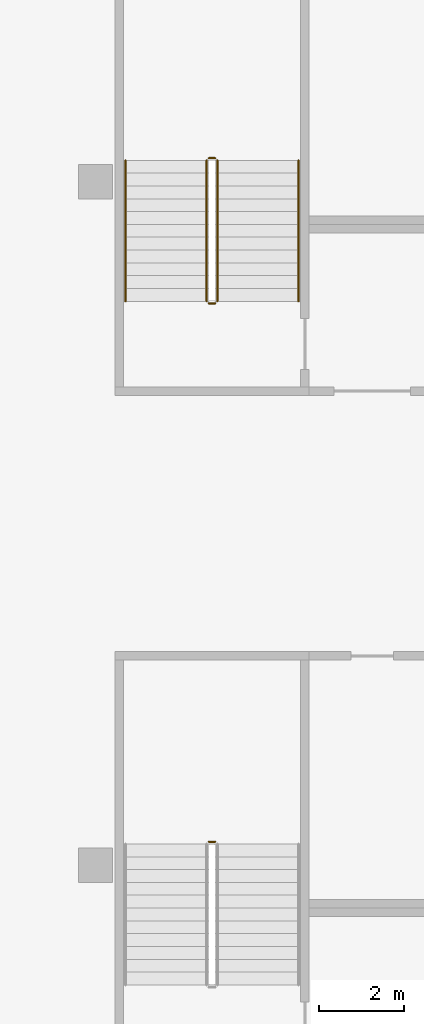
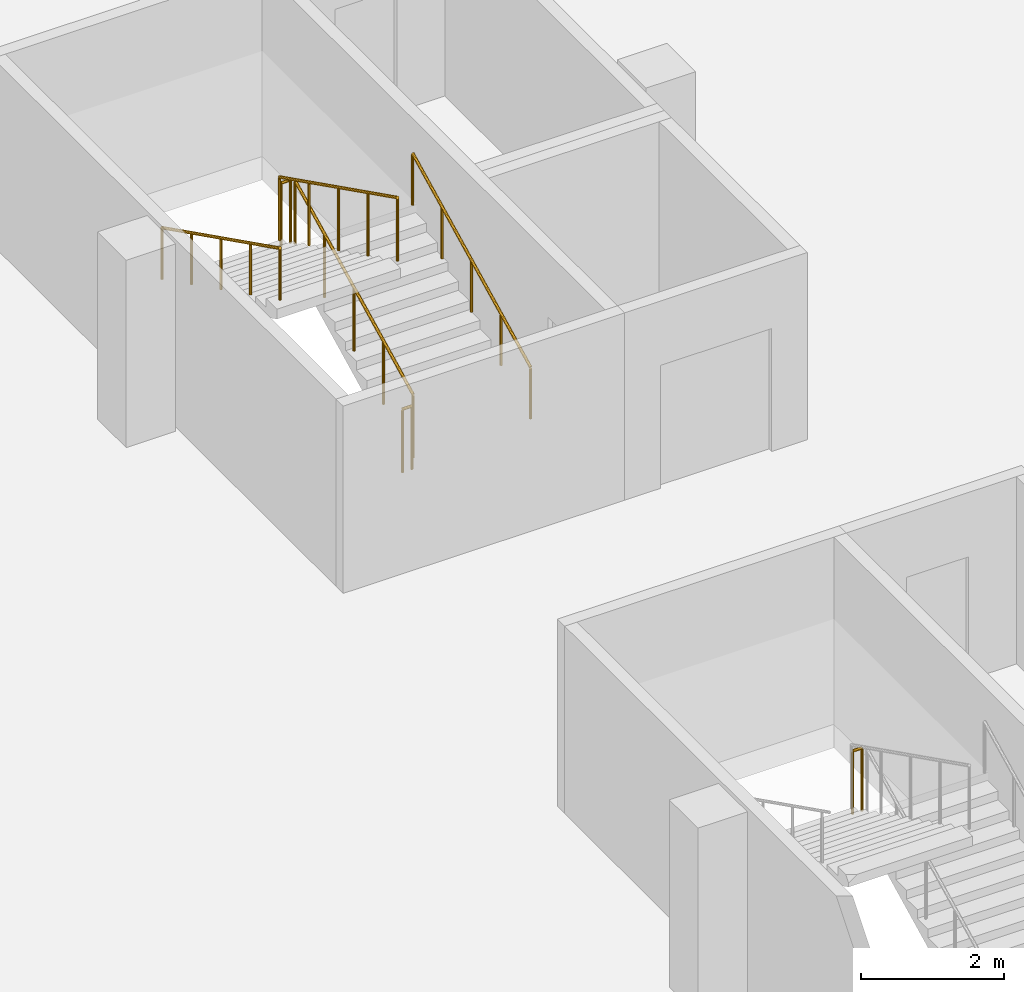
# One storey, part 25 of 37: 7 railings.
"""IFC4 building model written with IfcOpenShell, lengths in metres."""

from ifc_helpers import new_model, si_unit, direction, frame, origin, origin_2d, place, context, subcontext, project, spatial, circle, extrude, material, type_object, element, save


model = new_model("IFC4")

# Units and contexts
model_context = context("Model", 3, precision=1e-05, world=origin(), true_north=direction((0.0, 1.0)))
body_context = subcontext(model_context, "Body", "Model", "MODEL_VIEW")
ifc_project = project(units=[si_unit("LENGTHUNIT", "METRE"), si_unit("AREAUNIT", "SQUARE_METRE"), si_unit("VOLUMEUNIT", "CUBIC_METRE"), si_unit("PLANEANGLEUNIT", "RADIAN"), si_unit("MASSUNIT", "GRAM", prefix="KILO")], contexts=[model_context])

# Site, building, storey
site_placement = place(None, origin())
site = spatial("IfcSite", under=ifc_project, at=site_placement, CompositionType="ELEMENT")
building_placement = place(site_placement, origin())
building = spatial("IfcBuilding", under=site, at=building_placement, Name="Tamra Quay Hotel Tower", CompositionType="ELEMENT")
storey_placement = place(building_placement, frame((0.0, 0.0, -7.199951171875)))
storey = spatial("IfcBuildingStorey", under=building, at=storey_placement, Name="B2", CompositionType="ELEMENT", Elevation=-7.199951171875)

# Railings
ifc_material_1 = material(Name="Basement stair guard 1100")
railing_type_1 = type_object("IfcRailingType", Name="Basement stair guard 1100", PredefinedType="GUARDRAIL", material=ifc_material_1)
railing_1_placement = place(storey_placement, frame((-94.699951171875, -15.449951171875, 1.800048828125)))
element("IfcRailing", 1, at=railing_1_placement, inside=storey, type_object=railing_type_1, Name="BSG", PredefinedType="GUARDRAIL", context=body_context, shape_type="SweptSolid", body=[
    extrude(circle(Radius=0.02392578125, at=origin_2d()), frame((0.0, 0.0, 1.076171875), z_axis=(-1.0, 0.0, 0.0), x_axis=(0.0, -1.0, 0.0)), (0.0, 0.0, 1.0), 0.150146484375),
    extrude(circle(Radius=0.02099609375, at=origin_2d()), origin(), (0.0, 0.0, 1.0), 1.052001953125),
    extrude(circle(Radius=0.02099609375, at=origin_2d()), frame((-0.150146484375, 0.0, 0.0)), (0.0, 0.0, 1.0), 1.052001953125),
])
railing_2_placement = place(storey_placement, frame((-94.64990234375, -2.800048828125, 0.14990234375)))
element("IfcRailing", 2, at=railing_2_placement, inside=storey, type_object=railing_type_1, Name="BSG", PredefinedType="GUARDRAIL", context=body_context, shape_type="SweptSolid", body=[
    extrude(circle(Radius=0.02392578125, at=origin_2d()), frame((0.0, 0.0, 1.076171875), z_axis=(0.0, 0.894413956696, 0.447240063129), x_axis=(-1.0, 0.0, 0.0)), (0.0, 0.0, 1.0), 3.689697265625),
    extrude(circle(Radius=0.02099609375, at=origin_2d()), origin(), (0.0, 0.0, 1.0), 1.052001953125),
    extrude(circle(Radius=0.02099609375, at=origin_2d()), frame((0.0, 0.824951171875, 0.41259765625)), (0.0, 0.0, 1.0), 1.052001953125),
    extrude(circle(Radius=0.02099609375, at=origin_2d()), frame((0.0, 1.64990234375, 0.8251953125)), (0.0, 0.0, 1.0), 1.052001953125),
    extrude(circle(Radius=0.02099609375, at=origin_2d()), frame((0.0, 2.47509765625, 1.237548828125)), (0.0, 0.0, 1.0), 1.052001953125),
    extrude(circle(Radius=0.02099609375, at=origin_2d()), frame((0.0, 3.300048828125, 1.650146484375)), (0.0, 0.0, 1.0), 1.052001953125),
])
railing_3_placement = place(storey_placement, frame((-94.699951171875, 0.550048828125, 1.800048828125)))
element("IfcRailing", 3, at=railing_3_placement, inside=storey, type_object=railing_type_1, Name="BSG", PredefinedType="GUARDRAIL", context=body_context, shape_type="SweptSolid", body=[
    extrude(circle(Radius=0.02392578125, at=origin_2d()), frame((0.0, 0.0, 1.076171875), z_axis=(-1.0, 0.0, 0.0), x_axis=(0.0, -1.0, 0.0)), (0.0, 0.0, 1.0), 0.150146484375),
    extrude(circle(Radius=0.02099609375, at=origin_2d()), origin(), (0.0, 0.0, 1.0), 1.052001953125),
    extrude(circle(Radius=0.02099609375, at=origin_2d()), frame((-0.150146484375, 0.0, 0.0)), (0.0, 0.0, 1.0), 1.052001953125),
])
railing_4_placement = place(storey_placement, frame((-94.89990234375, 0.5, 1.949951171875)))
element("IfcRailing", 4, at=railing_4_placement, inside=storey, type_object=railing_type_1, Name="BSG", PredefinedType="GUARDRAIL", context=body_context, shape_type="SweptSolid", body=[
    extrude(circle(Radius=0.02392578125, at=origin_2d()), frame((0.0, 0.0, 1.076171875), z_axis=(0.0, -0.894440424912, 0.447187126696), x_axis=(1.0, 0.0, 0.0)), (0.0, 0.0, 1.0), 3.689453125),
    extrude(circle(Radius=0.02099609375, at=origin_2d()), origin(), (0.0, 0.0, 1.0), 1.052001953125),
    extrude(circle(Radius=0.02099609375, at=origin_2d()), frame((0.0, -0.824951171875, 0.41259765625)), (0.0, 0.0, 1.0), 1.052001953125),
    extrude(circle(Radius=0.02099609375, at=origin_2d()), frame((0.0, -1.64990234375, 0.824951171875)), (0.0, 0.0, 1.0), 1.052001953125),
    extrude(circle(Radius=0.02099609375, at=origin_2d()), frame((0.0, -2.47509765625, 1.2373046875)), (0.0, 0.0, 1.0), 1.052001953125),
    extrude(circle(Radius=0.02099609375, at=origin_2d()), frame((0.0, -3.300048828125, 1.64990234375)), (0.0, 0.0, 1.0), 1.052001953125),
])
railing_5_placement = place(storey_placement, frame((-94.699951171875, -2.85009765625, 0.0)))
element("IfcRailing", 5, at=railing_5_placement, inside=storey, type_object=railing_type_1, Name="BSG", PredefinedType="GUARDRAIL", context=body_context, shape_type="SweptSolid", body=[
    extrude(circle(Radius=0.02392578125, at=origin_2d()), frame((0.0, 0.0, 1.076171875), z_axis=(-1.0, 0.0, 0.0), x_axis=(0.0, -1.0, 0.0)), (0.0, 0.0, 1.0), 0.150146484375),
    extrude(circle(Radius=0.02099609375, at=origin_2d()), origin(), (0.0, 0.0, 1.0), 1.052001953125),
    extrude(circle(Radius=0.02099609375, at=origin_2d()), frame((-0.150146484375, 0.0, 0.0)), (0.0, 0.0, 1.0), 1.052001953125),
])
ifc_material_2 = material(Name="Basement stair handrail 900")
railing_type_2 = type_object("IfcRailingType", Name="Basement stair handrail 900", PredefinedType="HANDRAIL", material=ifc_material_2)
railing_6_placement = place(storey_placement, frame((-92.75, -2.800048828125, 0.14990234375)))
element("IfcRailing", 6, at=railing_6_placement, inside=storey, type_object=railing_type_2, Name="BSH", PredefinedType="HANDRAIL", context=body_context, shape_type="SweptSolid", body=[
    extrude(circle(Radius=0.02392578125, at=origin_2d()), frame((0.0, 0.0, 0.8759765625), z_axis=(0.0, 0.894413956696, 0.447240063129), x_axis=(-1.0, 0.0, 0.0)), (0.0, 0.0, 1.0), 3.689697265625),
    extrude(circle(Radius=0.02099609375, at=origin_2d()), origin(), (0.0, 0.0, 1.0), 0.851806640625),
    extrude(circle(Radius=0.02099609375, at=origin_2d()), frame((0.0, 0.824951171875, 0.41259765625)), (0.0, 0.0, 1.0), 0.851806640625),
    extrude(circle(Radius=0.02099609375, at=origin_2d()), frame((0.0, 1.64990234375, 0.8251953125)), (0.0, 0.0, 1.0), 0.851806640625),
    extrude(circle(Radius=0.02099609375, at=origin_2d()), frame((0.0, 2.47509765625, 1.237548828125)), (0.0, 0.0, 1.0), 0.851806640625),
    extrude(circle(Radius=0.02099609375, at=origin_2d()), frame((0.0, 3.300048828125, 1.650146484375)), (0.0, 0.0, 1.0), 0.851806640625),
])
railing_7_placement = place(storey_placement, frame((-96.800048828125, 0.5, 1.949951171875)))
element("IfcRailing", 7, at=railing_7_placement, inside=storey, type_object=railing_type_2, Name="BSH", PredefinedType="HANDRAIL", context=body_context, shape_type="SweptSolid", body=[
    extrude(circle(Radius=0.02392578125, at=origin_2d()), frame((0.0, 0.0, 0.8759765625), z_axis=(0.0, -0.894440424912, 0.447187126696), x_axis=(1.0, 0.0, 0.0)), (0.0, 0.0, 1.0), 3.689453125),
    extrude(circle(Radius=0.02099609375, at=origin_2d()), origin(), (0.0, 0.0, 1.0), 0.851806640625),
    extrude(circle(Radius=0.02099609375, at=origin_2d()), frame((0.0, -0.824951171875, 0.41259765625)), (0.0, 0.0, 1.0), 0.851806640625),
    extrude(circle(Radius=0.02099609375, at=origin_2d()), frame((0.0, -1.64990234375, 0.824951171875)), (0.0, 0.0, 1.0), 0.851806640625),
    extrude(circle(Radius=0.02099609375, at=origin_2d()), frame((0.0, -2.47509765625, 1.2373046875)), (0.0, 0.0, 1.0), 0.851806640625),
    extrude(circle(Radius=0.02099609375, at=origin_2d()), frame((0.0, -3.300048828125, 1.64990234375)), (0.0, 0.0, 1.0), 0.851806640625),
])

save(model, "model.ifc")
